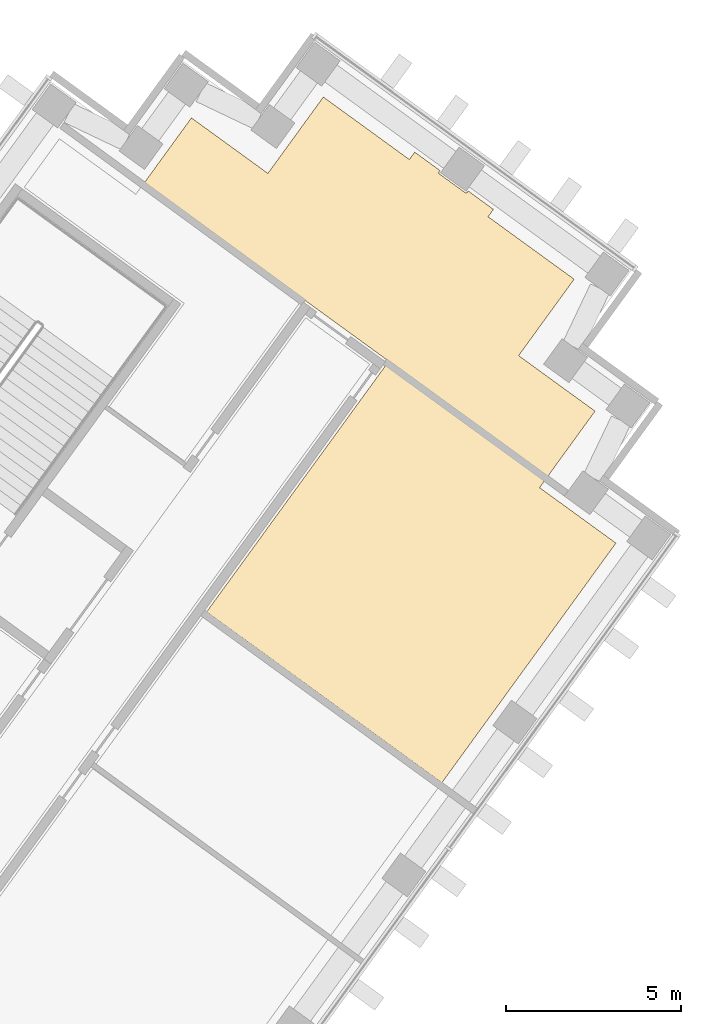
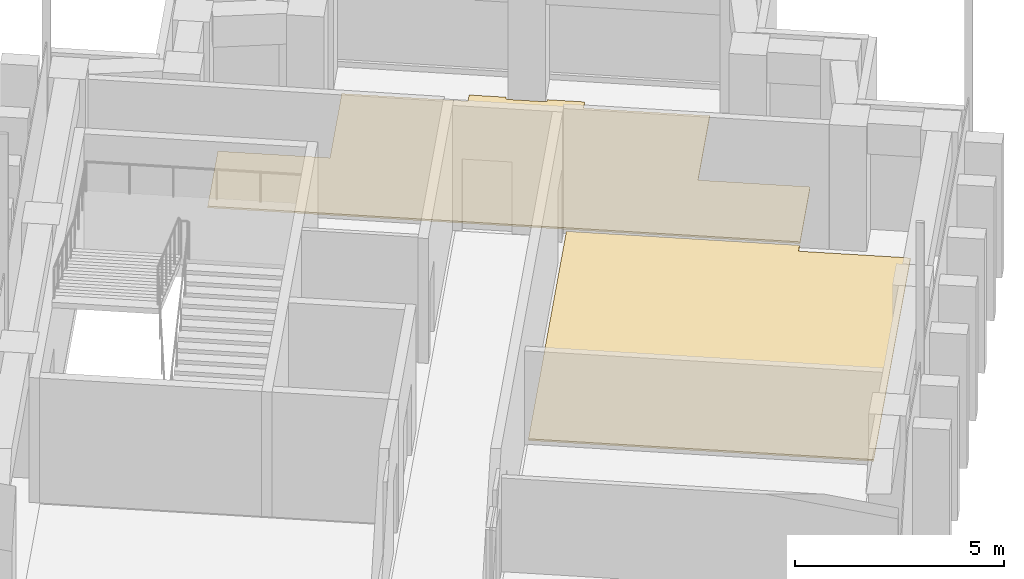
# One storey, part 19 of 19: 2 coverings.
"""IFC4 building model written with IfcOpenShell, lengths in metres."""

from ifc_helpers import new_model, si_unit, direction, frame, origin, place, context, subcontext, project, spatial, polyline, outline, extrude, material, layer, layer_set, type_object, element, save


model = new_model("IFC4")

# Units and contexts
model_context = context("Model", 3, precision=1e-05, world=origin(), true_north=direction((0.0, 1.0)))
body_context = subcontext(model_context, "Body", "Model", "MODEL_VIEW")
ifc_project = project(units=[si_unit("LENGTHUNIT", "METRE"), si_unit("AREAUNIT", "SQUARE_METRE"), si_unit("VOLUMEUNIT", "CUBIC_METRE"), si_unit("PLANEANGLEUNIT", "RADIAN"), si_unit("MASSUNIT", "GRAM", prefix="KILO")], contexts=[model_context])

# Site, building, storey
site_placement = place(None, origin())
site = spatial("IfcSite", under=ifc_project, at=site_placement, CompositionType="ELEMENT")
building_placement = place(site_placement, origin())
building = spatial("IfcBuilding", under=site, at=building_placement, Name="Quipu Civic Tower", CompositionType="ELEMENT")
storey_placement = place(building_placement, frame((0.0, 0.0, 47.0)))
storey = spatial("IfcBuildingStorey", under=building, at=storey_placement, Name="L10", CompositionType="ELEMENT", Elevation=47.0)

# Coverings
ifc_material = material(Name="Sealed cement screed")
ifc_layer = layer(ifc_material, 0.050048828125)
ifc_layer_set = layer_set([ifc_layer], Name="Sealed cement screed")
covering_type = type_object("IfcCoveringType", Name="Sealed screed floor finish 50", PredefinedType="FLOORING", material=ifc_layer_set)
covering_1_placement = place(storey_placement, origin())
element("IfcCovering", 1, at=covering_1_placement, inside=storey, type_object=covering_type, Name="Sealed screed floor finish 50", PredefinedType="FLOORING", context=body_context, shape_type="SweptSolid", body=[
    extrude(outline(polyline([(39.989013671875, 39.64208984375), (41.346923828125, 41.510986328125), (43.531982421875, 39.925048828125), (45.116943359375, 42.10791015625), (47.574951171875, 40.322021484375), (47.72900390625, 40.531982421875), (48.449951171875, 40.008056640625), (48.427001953125, 39.97705078125), (48.424072265625, 39.972900390625), (48.422119140625, 39.968017578125), (48.419921875, 39.964111328125), (48.4189453125, 39.958984375), (48.41796875, 39.9541015625), (48.4169921875, 39.948974609375), (48.4169921875, 39.944091796875), (48.41796875, 39.93994140625), (48.4189453125, 39.93505859375), (48.419921875, 39.929931640625), (48.422119140625, 39.926025390625), (48.425048828125, 39.9208984375), (48.427001953125, 39.9169921875), (48.430908203125, 39.9130859375), (48.43408203125, 39.909912109375), (48.43798828125, 39.906982421875), (49.166015625, 39.3779296875), (49.169921875, 39.375), (49.174072265625, 39.373046875), (49.178955078125, 39.37109375), (49.18408203125, 39.3701171875), (49.18896484375, 39.368896484375), (49.193115234375, 39.367919921875), (49.197998046875, 39.367919921875), (49.202880859375, 39.368896484375), (49.2080078125, 39.3701171875), (49.212890625, 39.37109375), (49.217041015625, 39.373046875), (49.220947265625, 39.3759765625), (49.22607421875, 39.3779296875), (49.22900390625, 39.382080078125), (49.23291015625, 39.385009765625), (49.236083984375, 39.388916015625), (49.259033203125, 39.4208984375), (49.97900390625, 38.89697265625), (49.826904296875, 38.68603515625), (52.284912109375, 36.90087890625), (50.698974609375, 34.717041015625), (52.883056640625, 33.1298828125), (51.52587890625, 31.260009765625), (39.989013671875, 39.64208984375)])), origin(), (0.0, 0.0, 1.0), 0.050048828125),
])
covering_2_placement = place(storey_placement, origin())
element("IfcCovering", 2, at=covering_2_placement, inside=storey, type_object=covering_type, Name="Sealed screed floor finish 50", PredefinedType="FLOORING", context=body_context, shape_type="SweptSolid", body=[
    extrude(outline(polyline([(41.781982421875, 27.39404296875), (46.904052734375, 34.444091796875), (51.443115234375, 31.14599609375), (51.298095703125, 30.943115234375), (53.47998046875, 29.35791015625), (48.5048828125, 22.510009765625), (41.781982421875, 27.39404296875)])), origin(), (0.0, 0.0, 1.0), 0.050048828125),
])

save(model, "model.ifc")
